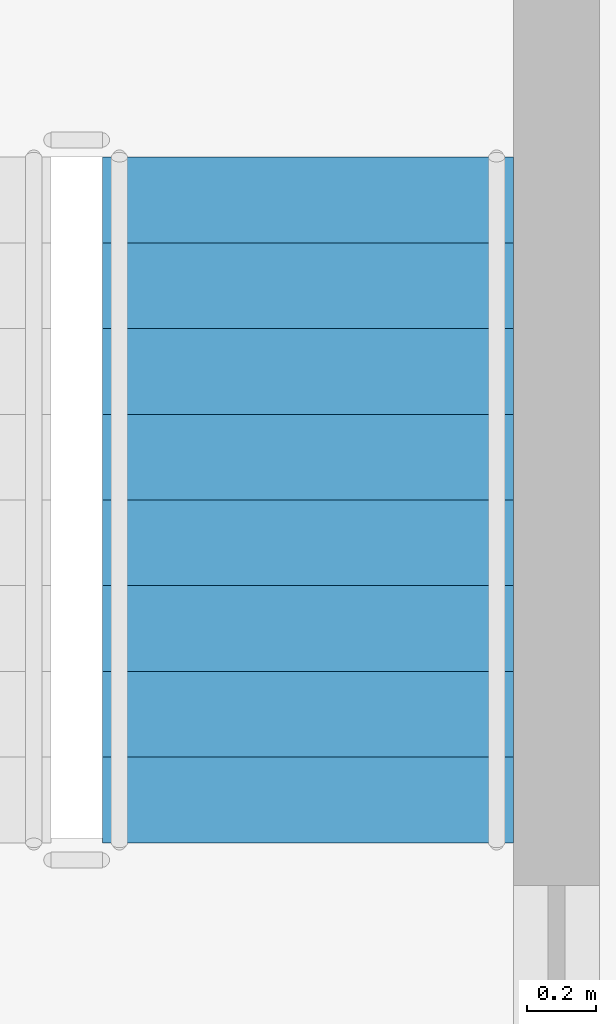
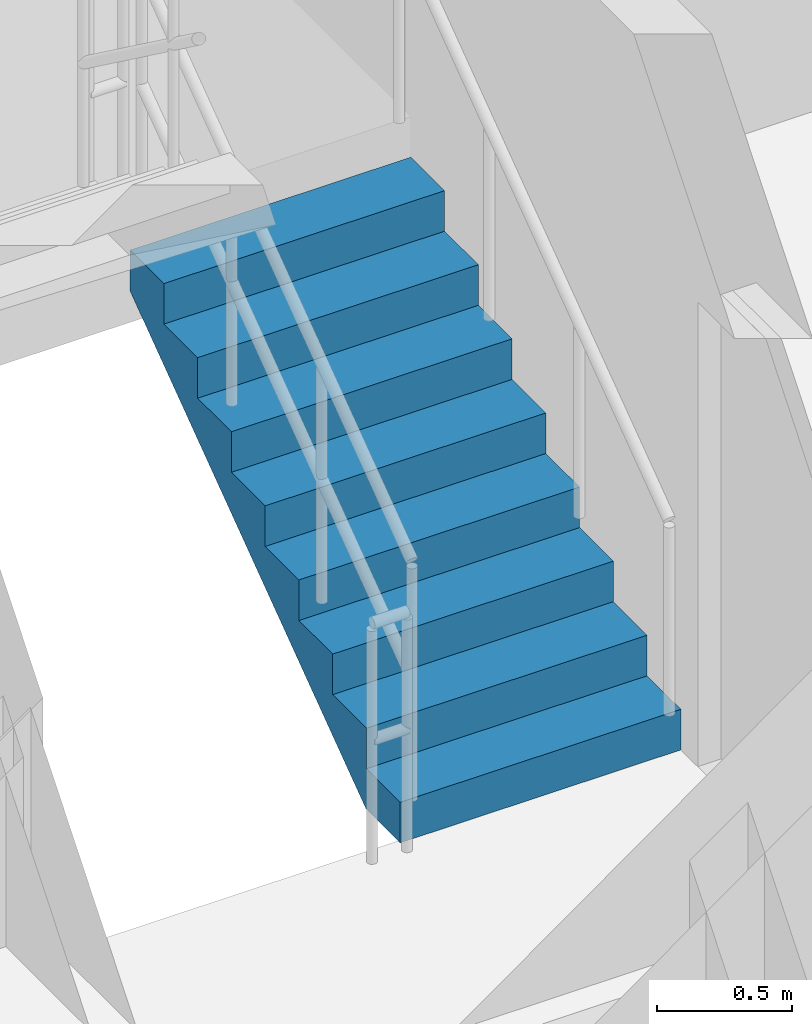
# One storey, part 10 of 16: 1 stair flight, 1 element without a shape of its own.
"""IFC4 building model written with IfcOpenShell, lengths in metres."""

from ifc_helpers import new_model, si_unit, direction, frame, origin, place, context, subcontext, project, spatial, polyline, outline, extrude, material, type_object, element, aggregate, save


model = new_model("IFC4")

# Units and contexts
model_context = context("Model", 3, precision=1e-05, world=origin(), true_north=direction((0.0, 1.0)))
body_context = subcontext(model_context, "Body", "Model", "MODEL_VIEW")
ifc_project = project(units=[si_unit("LENGTHUNIT", "METRE"), si_unit("AREAUNIT", "SQUARE_METRE"), si_unit("VOLUMEUNIT", "CUBIC_METRE"), si_unit("PLANEANGLEUNIT", "RADIAN"), si_unit("MASSUNIT", "GRAM", prefix="KILO")], contexts=[model_context])

# Site, building, storey
site_placement = place(None, origin())
site = spatial("IfcSite", under=ifc_project, at=site_placement, CompositionType="ELEMENT")
building_placement = place(site_placement, origin())
building = spatial("IfcBuilding", under=site, at=building_placement, Name="Nakaniwa Court", CompositionType="ELEMENT")
storey_placement = place(building_placement, frame((0.0, 0.0, 196.5)))
storey = spatial("IfcBuildingStorey", under=building, at=storey_placement, Name="L51", CompositionType="ELEMENT", Elevation=196.5)

# Stair, stair flight
ifc_material = material(Name="Concrete C80/100", Category="concrete")
stair_type = type_object("IfcStairType", Name="Dog leg stair 1200 wide 18 risers", PredefinedType="HALF_TURN_STAIR", material=ifc_material)
stair_placement = place(storey_placement, origin())
stair = element("IfcStair", 1, at=stair_placement, inside=storey, type_object=stair_type, Name="L51 Stair ST2", PredefinedType="HALF_TURN_STAIR")
stair_flight_type = type_object("IfcStairFlightType", Name="Stair flight 1200 wide 9 risers", PredefinedType="STRAIGHT", material=ifc_material)
stair_flight_placement = place(storey_placement, frame((82.675048828125, 98.175048828125, 0.0), z_axis=(0.0, 0.0, 1.0), x_axis=(0.0, 1.0, 0.0)))
stair_flight = element("IfcStairFlight", 2, at=stair_flight_placement, type_object=stair_flight_type, Name="ST2 flight 1", NumberOfRisers=9, NumberOfTreads=8, PredefinedType="STRAIGHT", RiserHeight=0.183333333, TreadLength=0.25, context=body_context, shape_type="SweptSolid", body=[
    extrude(outline(polyline([(0.0, 0.0), (0.0, 0.026123046875), (0.0, 0.052490234375), (0.0, 0.07861328125), (0.0, 0.104736328125), (0.0, 0.130859375), (0.0, 0.1572265625), (0.0, 0.183349609375), (0.25, 0.183349609375), (0.25, 0.36669921875), (0.5, 0.36669921875), (0.5, 0.550048828125), (0.75, 0.550048828125), (0.75, 0.7333984375), (1.0, 0.7333984375), (1.0, 0.916748046875), (1.25, 0.916748046875), (1.25, 1.10009765625), (1.5, 1.10009765625), (1.5, 1.283447265625), (1.75, 1.283447265625), (1.75, 1.466552734375), (2.0, 1.466552734375), (2.0, 1.64990234375), (2.0, 1.59716796875), (2.0, 1.54443359375), (2.0, 1.49169921875), (2.0, 1.43896484375), (2.0, 1.38623046875), (2.0, 1.33349609375), (2.0, 1.28076171875), (0.25341796875, 0.0), (0.0, 0.0)])), frame((0.0, 0.60009765625, 0.0), z_axis=(0.0, -1.0, 0.0), x_axis=(1.0, 0.0, 0.0)), (0.0, 0.0, 1.0), 1.199951171875),
])
aggregate(stair, [stair_flight])

save(model, "model.ifc")
